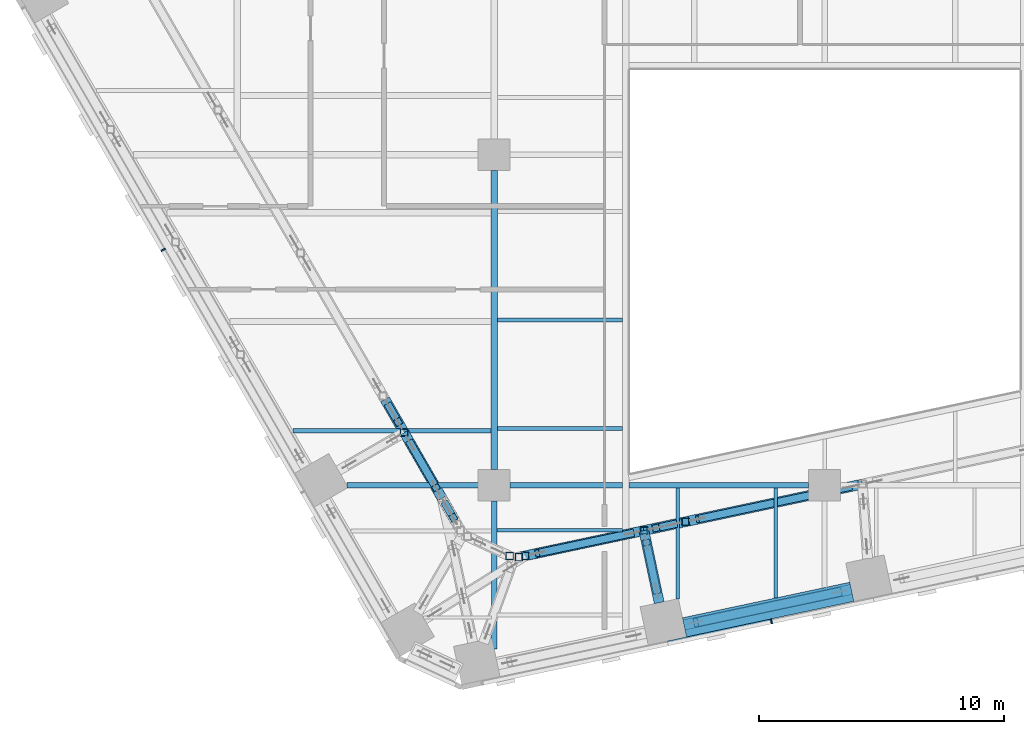
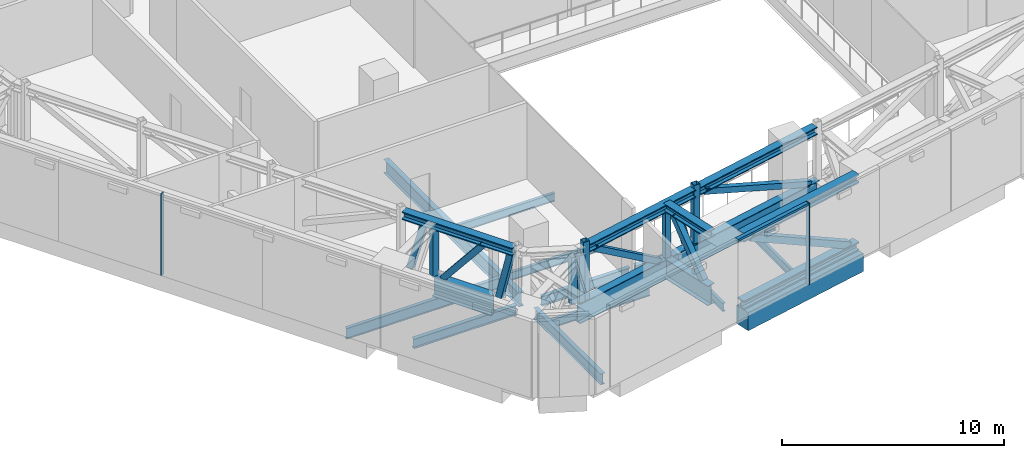
# One storey, part 3 of 36: 27 members, 12 beams, 2 elements without a shape of their own.
"""IFC4 building model written with IfcOpenShell, lengths in metres."""

from ifc_helpers import new_model, si_unit, direction, frame, origin, origin_2d, place, context, subcontext, project, spatial, rectangle, hollow_rectangle, i_section, extrude, material, layer, layer_set, material_profile, profile_set, type_object, element, aggregate, save


model = new_model("IFC4")

# Units and contexts
model_context = context("Model", 3, precision=1e-05, world=origin(), true_north=direction((0.0, 1.0)))
body_context = subcontext(model_context, "Body", "Model", "MODEL_VIEW")
ifc_project = project(units=[si_unit("LENGTHUNIT", "METRE"), si_unit("AREAUNIT", "SQUARE_METRE"), si_unit("VOLUMEUNIT", "CUBIC_METRE"), si_unit("PLANEANGLEUNIT", "RADIAN"), si_unit("MASSUNIT", "GRAM", prefix="KILO")], contexts=[model_context])

# Site, building, storey
site_placement = place(None, origin())
site = spatial("IfcSite", under=ifc_project, at=site_placement, CompositionType="ELEMENT")
building_placement = place(site_placement, origin())
building = spatial("IfcBuilding", under=site, at=building_placement, Name="Isthmus Gate Tower", CompositionType="ELEMENT")
storey_placement = place(building_placement, frame((0.0, 0.0, 117.14990234375)))
storey = spatial("IfcBuildingStorey", under=building, at=storey_placement, Name="L28", CompositionType="ELEMENT", Elevation=117.14990234375)

# Members
ifc_material_1 = material(Name="Structural steel ASTM A913 Gr 65", Category="steel")
ifc_material_profile_1 = material_profile(ifc_material_1, i_section(OverallWidth=0.4287109375, OverallDepth=0.482666015625, WebThickness=0.05078125, FlangeThickness=0.0810546875, at=origin_2d()), Name="W14X455")
ifc_profile_set_1 = profile_set([ifc_material_profile_1], Name="Structural steel ASTM A913 Gr 65")
member_type_1 = type_object("IfcMemberType", Name="BELT TRUSS CHORD W14X455", PredefinedType="CHORD", material=ifc_profile_set_1)
for number, where, z_axis, x_axis, name in (
    (1, (1.09130859375, -31.2568359375, 0.241455078125), (-0.978149173437, -0.207904291694, 0.0), (0.207904291694, -0.978149173437, 0.0), "str-belt12-L28-01"),
    (2, (1.09130859375, -31.2568359375, 3.958740234375), (-0.978149173437, -0.207904291694, 0.0), (0.207904291694, -0.978149173437, 0.0), "str-belt12-L28-02"),
):
    element("IfcMember", number, at=place(storey_placement, frame(where, z_axis=z_axis, x_axis=x_axis)), inside=storey, type_object=member_type_1, Name=name, PredefinedType="CHORD", context=body_context, shape_type="SweptSolid", body=[
        extrude(i_section(OverallWidth=0.4287109375, OverallDepth=0.482666015625, WebThickness=0.05078125, FlangeThickness=0.0810546875, at=origin_2d()), origin(), (0.0, 0.0, 1.0), 6.989501953125),
    ])

# Curtain wall, member
ifc_material_2 = material(Name="Aluminium, pale champagne anodised", Category="aluminium")
ifc_layer = layer(ifc_material_2, 0.199951171875)
ifc_layer_set = layer_set([ifc_layer], Name="CW-2 LOUVRE CURTAIN WALL 200 DEEP")
curtain_wall_type = type_object("IfcCurtainWallType", Name="CW-2 LOUVRE CURTAIN WALL 200 DEEP", PredefinedType="NOTDEFINED", material=ifc_layer_set)
curtain_wall_1_placement = place(storey_placement, origin())
curtain_wall_1 = element("IfcCurtainWall", 3, at=curtain_wall_1_placement, inside=storey, type_object=curtain_wall_type, Name="CW-2 SW L28", PredefinedType="NOTDEFINED")
ifc_material_3 = material(Name="Aluminium, pale champagne anodised", Category="aluminium")
ifc_material_profile_2 = material_profile(ifc_material_3, rectangle(XDim=0.06005859375, YDim=0.199951171875, at=origin_2d()), Name="60x200")
ifc_profile_set_2 = profile_set([ifc_material_profile_2], Name="Aluminium, pale champagne anodised")
member_type_2 = type_object("IfcMemberType", Name="CW-2 MULLION 60 X 200", PredefinedType="MULLION", material=ifc_profile_set_2)
member_1_placement = place(storey_placement, frame((-27.026611328125, -17.388427734375, 0.0), z_axis=(0.0, 0.0, 1.0), x_axis=(0.5, -0.866025403784, 0.0)))
member_1 = element("IfcMember", 4, at=member_1_placement, type_object=member_type_2, Name="CW-2 mullion", PredefinedType="MULLION", context=body_context, shape_type="SweptSolid", body=[
    extrude(rectangle(XDim=0.06005859375, YDim=0.199951171875, at=origin_2d()), origin(), (0.0, 0.0, 1.0), 4.5),
])
aggregate(curtain_wall_1, [member_1])

# Curtain wall, members
curtain_wall_2_placement = place(storey_placement, origin())
curtain_wall_2 = element("IfcCurtainWall", 5, at=curtain_wall_2_placement, inside=storey, type_object=curtain_wall_type, Name="CW-2 S L28", PredefinedType="NOTDEFINED")
member_2_placement = place(storey_placement, frame((-2.1728515625, -32.564208984375, 0.0), z_axis=(0.0, 0.0, 1.0), x_axis=(0.978147600734, 0.207911690818, 0.0)))
member_2 = element("IfcMember", 6, at=member_2_placement, type_object=member_type_2, Name="CW-2 mullion", PredefinedType="MULLION", context=body_context, shape_type="SweptSolid", body=[
    extrude(rectangle(XDim=0.06005859375, YDim=0.199951171875, at=origin_2d()), origin(), (0.0, 0.0, 1.0), 4.5),
])
ifc_material_4 = material(Name="Aluminium, pale champagne anodised", Category="aluminium")
ifc_material_profile_3 = material_profile(ifc_material_4, rectangle(XDim=0.199951171875, YDim=0.1201171875, at=origin_2d()), Name="200x120")
ifc_profile_set_3 = profile_set([ifc_material_profile_3], Name="Aluminium, pale champagne anodised")
member_type_3 = type_object("IfcMemberType", Name="CW-2 TRANSOM 200 X 120", PredefinedType="USERDEFINED", material=ifc_profile_set_3)
member_3_placement = place(storey_placement, frame((-6.403076171875, -33.46337890625, 4.440185546875), z_axis=(0.97813890815, 0.207952582007, 0.0), x_axis=(-0.207952582007, 0.97813890815, 0.0)))
member_3 = element("IfcMember", 7, at=member_3_placement, type_object=member_type_3, Name="CW-2 transom", ObjectType="TRANSOM", PredefinedType="USERDEFINED", context=body_context, shape_type="SweptSolid", body=[
    extrude(rectangle(XDim=0.199951171875, YDim=0.1201171875, at=origin_2d()), origin(), (0.0, 0.0, 1.0), 4.294677734375),
])
aggregate(curtain_wall_2, [member_3, member_2])

# Beams
ifc_material_5 = material(Name="Concrete f'c 70 MPa", Category="concrete")
ifc_material_profile_4 = material_profile(ifc_material_5, rectangle(XDim=0.800048828125, YDim=1.0, at=origin_2d()), Name="RC 800X1000")
ifc_profile_set_4 = profile_set([ifc_material_profile_4], Name="Concrete f'c 70 MPa")
beam_type_1 = type_object("IfcBeamType", Name="RC SPANDREL 800 X 1000", PredefinedType="SPANDREL", material=ifc_profile_set_4)
beam_1_placement = place(storey_placement, frame((1.112060546875, -31.354736328125, -0.5), z_axis=(-0.978149173437, -0.207904291694, 0.0), x_axis=(0.207904291694, -0.978149173437, 0.0)))
element("IfcBeam", 8, at=beam_1_placement, inside=storey, type_object=beam_type_1, Name="str-spandrel-L28-12", PredefinedType="SPANDREL", context=body_context, shape_type="SweptSolid", body=[
    extrude(rectangle(XDim=0.800048828125, YDim=1.0, at=origin_2d()), origin(), (0.0, 0.0, 1.0), 6.989501953125),
])
ifc_material_6 = material(Name="Structural steel ASTM A992 Gr 50", Category="steel")
ifc_material_profile_5 = material_profile(ifc_material_6, i_section(OverallWidth=0.15234375, OverallDepth=0.45068359375, WebThickness=0.0078125, FlangeThickness=0.010986328125, at=origin_2d()), Name="W18X35")
ifc_profile_set_5 = profile_set([ifc_material_profile_5], Name="Structural steel ASTM A992 Gr 50")
beam_type_2 = type_object("IfcBeamType", Name="STEEL FLOOR BEAM W18X35", PredefinedType="JOIST", material=ifc_profile_set_5)
beam_2_placement = place(storey_placement, frame((-13.3857421875, -28.837646484375, -0.525390625), z_axis=(1.0, 0.0, 0.0), x_axis=(0.0, 1.0, 0.0)))
element("IfcBeam", 9, at=beam_2_placement, inside=storey, type_object=beam_type_2, Name="str-beam-L28-11-01", PredefinedType="JOIST", context=body_context, shape_type="SweptSolid", body=[
    extrude(i_section(OverallWidth=0.15234375, OverallDepth=0.45068359375, WebThickness=0.0078125, FlangeThickness=0.010986328125, at=origin_2d()), origin(), (0.0, 0.0, 1.0), 5.119140625),
])
for number, where, z_axis, x_axis, name in (
    (10, (-13.3681640625, -24.68017578125, -0.525390625), (1.0, 0.0, 0.0), (0.0, 1.0, 0.0), "str-beam-L28-13-00"),
    (11, (-13.3681640625, -20.25, -0.525390625), (1.0, 0.0, 0.0), (0.0, 1.0, 0.0), "str-beam-L28-13-01"),
):
    element("IfcBeam", number, at=place(storey_placement, frame(where, z_axis=z_axis, x_axis=x_axis)), inside=storey, type_object=beam_type_2, Name=name, PredefinedType="JOIST", context=body_context, shape_type="SweptSolid", body=[
        extrude(i_section(OverallWidth=0.15234375, OverallDepth=0.45068359375, WebThickness=0.0078125, FlangeThickness=0.010986328125, at=origin_2d()), origin(), (0.0, 0.0, 1.0), 5.1015625),
    ])
beam_3_placement = place(storey_placement, frame((-6.0, -31.6396484375, -0.525390625), z_axis=(0.0, 1.0, 0.0), x_axis=(-1.0, 0.0, 0.0)))
element("IfcBeam", 12, at=beam_3_placement, inside=storey, type_object=beam_type_2, Name="str-beam-L28-16-00", PredefinedType="JOIST", context=body_context, shape_type="SweptSolid", body=[
    extrude(i_section(OverallWidth=0.15234375, OverallDepth=0.45068359375, WebThickness=0.0078125, FlangeThickness=0.010986328125, at=origin_2d()), origin(), (0.0, 0.0, 1.0), 4.525390625),
])
beam_4_placement = place(storey_placement, frame((-2.0, -31.607177734375, -0.525390625), z_axis=(0.0, 1.0, 0.0), x_axis=(-1.0, 0.0, 0.0)))
element("IfcBeam", 13, at=beam_4_placement, inside=storey, type_object=beam_type_2, Name="str-beam-L28-16-01", PredefinedType="JOIST", context=body_context, shape_type="SweptSolid", body=[
    extrude(i_section(OverallWidth=0.15234375, OverallDepth=0.45068359375, WebThickness=0.0078125, FlangeThickness=0.010986328125, at=origin_2d()), origin(), (0.0, 0.0, 1.0), 4.492919921875),
])
ifc_material_7 = material(Name="Structural steel ASTM A992 Gr 50", Category="steel")
ifc_material_profile_6 = material_profile(ifc_material_7, i_section(OverallWidth=0.177734375, OverallDepth=0.60009765625, WebThickness=0.009521484375, FlangeThickness=0.0126953125, at=origin_2d()), Name="W24X55")
ifc_profile_set_6 = profile_set([ifc_material_profile_6], Name="Structural steel ASTM A992 Gr 50")
beam_type_3 = type_object("IfcBeamType", Name="STEEL FLOOR BEAM W24X55", PredefinedType="JOIST", material=ifc_profile_set_6)
beam_5_placement = place(storey_placement, frame((-21.724365234375, -24.772216796875, -0.599853515625), z_axis=(1.0, 0.0, 0.0), x_axis=(0.0, 1.0, 0.0)))
element("IfcBeam", 14, at=beam_5_placement, inside=storey, type_object=beam_type_3, Name="str-beam-L28-06-00", PredefinedType="JOIST", context=body_context, shape_type="SweptSolid", body=[
    extrude(i_section(OverallWidth=0.177734375, OverallDepth=0.60009765625, WebThickness=0.009521484375, FlangeThickness=0.0126953125, at=origin_2d()), origin(), (0.0, 0.0, 1.0), 8.092529296875),
])
ifc_material_8 = material(Name="Structural steel ASTM A992 Gr 50", Category="steel")
ifc_material_profile_7 = material_profile(ifc_material_8, i_section(OverallWidth=0.20947265625, OverallDepth=0.533447265625, WebThickness=0.009521484375, FlangeThickness=0.015869140625, at=origin_2d()), Name="W21X62")
ifc_profile_set_7 = profile_set([ifc_material_profile_7], Name="Structural steel ASTM A992 Gr 50")
beam_type_4 = type_object("IfcBeamType", Name="STEEL GIRDER W21X62", PredefinedType="BEAM", material=ifc_profile_set_7)
beam_6_placement = place(storey_placement, frame((-19.514404296875, -27.0, -0.566650390625), z_axis=(1.0, 0.0, 0.0), x_axis=(0.0, 1.0, 0.0)))
element("IfcBeam", 15, at=beam_6_placement, inside=storey, type_object=beam_type_4, Name="str-girder-L28-01", PredefinedType="BEAM", context=body_context, shape_type="SweptSolid", body=[
    extrude(i_section(OverallWidth=0.20947265625, OverallDepth=0.533447265625, WebThickness=0.009521484375, FlangeThickness=0.015869140625, at=origin_2d()), origin(), (0.0, 0.0, 1.0), 5.364501953125),
])
beam_7_placement = place(storey_placement, frame((-12.85009765625, -27.0, -0.566650390625), z_axis=(1.0, 0.0, 0.0), x_axis=(0.0, 1.0, 0.0)))
element("IfcBeam", 16, at=beam_7_placement, inside=storey, type_object=beam_type_4, Name="str-girder-L28-02", PredefinedType="BEAM", context=body_context, shape_type="SweptSolid", body=[
    extrude(i_section(OverallWidth=0.20947265625, OverallDepth=0.533447265625, WebThickness=0.009521484375, FlangeThickness=0.015869140625, at=origin_2d()), origin(), (0.0, 0.0, 1.0), 4.58349609375),
])
ifc_material_9 = material(Name="Structural steel ASTM A992 Gr 50", Category="steel")
ifc_material_profile_8 = material_profile(ifc_material_9, i_section(OverallWidth=0.228515625, OverallDepth=0.603271484375, WebThickness=0.010986328125, FlangeThickness=0.014404296875, at=origin_2d()), Name="W24X68")
ifc_profile_set_8 = profile_set([ifc_material_profile_8], Name="Structural steel ASTM A992 Gr 50")
beam_type_5 = type_object("IfcBeamType", Name="STEEL GIRDER W24X68", PredefinedType="BEAM", material=ifc_profile_set_8)
beam_8_placement = place(storey_placement, frame((-8.0, -27.0, -0.6015625), z_axis=(1.0, 0.0, 0.0), x_axis=(0.0, 1.0, 0.0)))
element("IfcBeam", 17, at=beam_8_placement, inside=storey, type_object=beam_type_5, Name="str-girder-L28-03", PredefinedType="BEAM", context=body_context, shape_type="SweptSolid", body=[
    extrude(i_section(OverallWidth=0.228515625, OverallDepth=0.603271484375, WebThickness=0.010986328125, FlangeThickness=0.014404296875, at=origin_2d()), origin(), (0.0, 0.0, 1.0), 7.35009765625),
])
beam_9_placement = place(storey_placement, frame((-13.5, -33.69189453125, -0.6015625), z_axis=(0.0, 1.0, 0.0), x_axis=(-1.0, 0.0, 0.0)))
element("IfcBeam", 18, at=beam_9_placement, inside=storey, type_object=beam_type_5, Name="str-girder-L28-24", PredefinedType="BEAM", context=body_context, shape_type="SweptSolid", body=[
    extrude(i_section(OverallWidth=0.228515625, OverallDepth=0.603271484375, WebThickness=0.010986328125, FlangeThickness=0.014404296875, at=origin_2d()), origin(), (0.0, 0.0, 1.0), 6.0419921875),
])
ifc_material_10 = material(Name="Structural steel ASTM A992 Gr 50", Category="steel")
ifc_material_profile_9 = material_profile(ifc_material_10, i_section(OverallWidth=0.263427734375, OverallDepth=0.749267578125, WebThickness=0.0126953125, FlangeThickness=0.015869140625, at=origin_2d()), Name="W30X90")
ifc_profile_set_9 = profile_set([ifc_material_profile_9], Name="Structural steel ASTM A992 Gr 50")
beam_type_6 = type_object("IfcBeamType", Name="STEEL GIRDER W30X90", PredefinedType="BEAM", material=ifc_profile_set_9)
beam_10_placement = place(storey_placement, frame((-13.5, -26.35009765625, -0.674560546875), z_axis=(0.0, 1.0, 0.0), x_axis=(-1.0, 0.0, 0.0)))
element("IfcBeam", 19, at=beam_10_placement, inside=storey, type_object=beam_type_6, Name="str-girder-L28-25", PredefinedType="BEAM", context=body_context, shape_type="SweptSolid", body=[
    extrude(i_section(OverallWidth=0.263427734375, OverallDepth=0.749267578125, WebThickness=0.0126953125, FlangeThickness=0.015869140625, at=origin_2d()), origin(), (0.0, 0.0, 1.0), 12.2001953125),
])

# Members
ifc_material_11 = material(Name="Structural steel ASTM A913 Gr 65", Category="steel")
ifc_material_profile_10 = material_profile(ifc_material_11, i_section(OverallWidth=0.40966796875, OverallDepth=0.42529296875, WebThickness=0.033203125, FlangeThickness=0.052490234375, at=origin_2d()), Name="W14X283")
ifc_profile_set_10 = profile_set([ifc_material_profile_10], Name="Structural steel ASTM A913 Gr 65")
member_type_4 = type_object("IfcMemberType", Name="TRANSFER TRUSS CHORD W14X283", PredefinedType="CHORD", material=ifc_profile_set_10)
member_4_placement = place(storey_placement, frame((1.39501953125, -26.98779296875, 3.887451171875), z_axis=(-0.978146501345, -0.207916862969, 0.0), x_axis=(0.207916862969, -0.978146501345, 0.0)))
element("IfcMember", 20, at=member_4_placement, inside=storey, type_object=member_type_4, Name="str-ring05-L28-16", PredefinedType="CHORD", context=body_context, shape_type="SweptSolid", body=[
    extrude(i_section(OverallWidth=0.40966796875, OverallDepth=0.42529296875, WebThickness=0.033203125, FlangeThickness=0.052490234375, at=origin_2d()), origin(), (0.0, 0.0, 1.0), 7.085205078125),
])
member_5_placement = place(storey_placement, frame((-5.83349609375, -28.5244140625, 3.887451171875), z_axis=(-0.978151271721, -0.207894419433, 0.0), x_axis=(0.207894419433, -0.978151271721, 0.0)))
element("IfcMember", 21, at=member_5_placement, inside=storey, type_object=member_type_4, Name="str-ring05-L28-17", PredefinedType="CHORD", context=body_context, shape_type="SweptSolid", body=[
    extrude(i_section(OverallWidth=0.40966796875, OverallDepth=0.42529296875, WebThickness=0.033203125, FlangeThickness=0.052490234375, at=origin_2d()), origin(), (0.0, 0.0, 1.0), 6.38623046875),
])
member_6_placement = place(storey_placement, frame((-15.08740234375, -28.4677734375, 3.887451171875), z_axis=(-0.500027705304, 0.866009407529, 0.0), x_axis=(-0.866009407529, -0.500027705304, 0.0)))
element("IfcMember", 22, at=member_6_placement, inside=storey, type_object=member_type_4, Name="str-ring07-L28-14", PredefinedType="CHORD", context=body_context, shape_type="SweptSolid", body=[
    extrude(i_section(OverallWidth=0.40966796875, OverallDepth=0.42529296875, WebThickness=0.033203125, FlangeThickness=0.052490234375, at=origin_2d()), origin(), (0.0, 0.0, 1.0), 5.746337890625),
])
member_7_placement = place(storey_placement, frame((-6.756591796875, -31.80029296875, 3.887451171875), z_axis=(-0.20788492722, 0.978153289129, 0.0), x_axis=(-0.978153289129, -0.20788492722, 0.0)))
element("IfcMember", 23, at=member_7_placement, inside=storey, type_object=member_type_4, Name="str-link14-L28-02", PredefinedType="CHORD", context=body_context, shape_type="SweptSolid", body=[
    extrude(i_section(OverallWidth=0.40966796875, OverallDepth=0.42529296875, WebThickness=0.033203125, FlangeThickness=0.052490234375, at=origin_2d()), origin(), (0.0, 0.0, 1.0), 3.012451171875),
])
ifc_material_12 = material(Name="Structural steel ASTM A913 Gr 65", Category="steel")
ifc_material_profile_11 = material_profile(ifc_material_12, i_section(OverallWidth=0.39990234375, OverallDepth=1.089111328125, WebThickness=0.017578125, FlangeThickness=0.03173828125, at=origin_2d()), Name="W44X230")
ifc_profile_set_11 = profile_set([ifc_material_profile_11], Name="Structural steel ASTM A913 Gr 65")
member_type_5 = type_object("IfcMemberType", Name="TRANSFER TRUSS CHORD W44X230", PredefinedType="CHORD", material=ifc_profile_set_11)
member_8_placement = place(storey_placement, frame((1.544189453125, -26.9560546875, 0.544677734375), z_axis=(-0.978145184177, -0.207923059497, 0.0), x_axis=(0.207923059497, -0.978145184177, 0.0)))
element("IfcMember", 24, at=member_8_placement, inside=storey, type_object=member_type_5, Name="str-ring05-L28-11", PredefinedType="CHORD", context=body_context, shape_type="SweptSolid", body=[
    extrude(i_section(OverallWidth=0.39990234375, OverallDepth=1.089111328125, WebThickness=0.017578125, FlangeThickness=0.03173828125, at=origin_2d()), origin(), (0.0, 0.0, 1.0), 9.126953125),
])
member_9_placement = place(storey_placement, frame((-7.38330078125, -28.853759765625, 0.544677734375), z_axis=(-0.978152326206, -0.207889457975, 0.0), x_axis=(0.207889457975, -0.978152326206, 0.0)))
element("IfcMember", 25, at=member_9_placement, inside=storey, type_object=member_type_5, Name="str-ring05-L28-12", PredefinedType="CHORD", context=body_context, shape_type="SweptSolid", body=[
    extrude(i_section(OverallWidth=0.39990234375, OverallDepth=1.089111328125, WebThickness=0.017578125, FlangeThickness=0.03173828125, at=origin_2d()), origin(), (0.0, 0.0, 1.0), 5.4208984375),
])
member_10_placement = place(storey_placement, frame((-15.626708984375, -27.53369140625, 0.544677734375), z_axis=(-0.500011136814, 0.866018973846, 0.0), x_axis=(-0.866018973846, -0.500011136814, 0.0)))
element("IfcMember", 26, at=member_10_placement, inside=storey, type_object=member_type_5, Name="str-ring07-L28-11", PredefinedType="CHORD", context=body_context, shape_type="SweptSolid", body=[
    extrude(i_section(OverallWidth=0.39990234375, OverallDepth=1.089111328125, WebThickness=0.017578125, FlangeThickness=0.03173828125, at=origin_2d()), origin(), (0.0, 0.0, 1.0), 3.09912109375),
])
member_11_placement = place(storey_placement, frame((-6.756591796875, -31.80029296875, 0.544677734375), z_axis=(-0.20788492722, 0.978153289129, 0.0), x_axis=(-0.978153289129, -0.20788492722, 0.0)))
element("IfcMember", 27, at=member_11_placement, inside=storey, type_object=member_type_5, Name="str-link14-L28-01", PredefinedType="CHORD", context=body_context, shape_type="SweptSolid", body=[
    extrude(i_section(OverallWidth=0.39990234375, OverallDepth=1.089111328125, WebThickness=0.017578125, FlangeThickness=0.03173828125, at=origin_2d()), origin(), (0.0, 0.0, 1.0), 3.012451171875),
])
ifc_material_13 = material(Name="Structural steel ASTM A500 Gr C", Category="steel")
ifc_material_profile_12 = material_profile(ifc_material_13, hollow_rectangle(XDim=0.3046875, YDim=0.3046875, WallThickness=0.014892578125, at=origin_2d()), Name="HSS12X12X5/8")
ifc_profile_set_12 = profile_set([ifc_material_profile_12], Name="Structural steel ASTM A500 Gr C")
member_type_6 = type_object("IfcMemberType", Name="TRANSFER TRUSS DIAGONAL HSS12X12X5/8", PredefinedType="BRACE", material=ifc_profile_set_12)
member_12_placement = place(storey_placement, frame((1.05517578125, -27.06005859375, 1.089111328125), z_axis=(-0.906728847627, -0.192735660838, 0.375094337365), x_axis=(0.207916329857, -0.978146614664, 0.0)))
element("IfcMember", 28, at=member_12_placement, inside=storey, type_object=member_type_6, Name="str-ring05-L28-21", PredefinedType="BRACE", context=body_context, shape_type="SweptSolid", body=[
    extrude(hollow_rectangle(XDim=0.3046875, YDim=0.3046875, WallThickness=0.014892578125, at=origin_2d()), origin(), (0.0, 0.0, 1.0), 6.8935546875),
])
member_13_placement = place(storey_placement, frame((-6.17333984375, -28.5966796875, 1.089111328125), z_axis=(-0.268141579728, -0.056933549099, 0.961695723297), x_axis=(0.207696320087, -0.978193354415, 0.0)))
element("IfcMember", 29, at=member_13_placement, inside=storey, type_object=member_type_6, Name="str-ring05-L28-22", PredefinedType="BRACE", context=body_context, shape_type="SweptSolid", body=[
    extrude(hollow_rectangle(XDim=0.3046875, YDim=0.3046875, WallThickness=0.014892578125, at=origin_2d()), origin(), (0.0, 0.0, 1.0), 2.688720703125),
])
member_14_placement = place(storey_placement, frame((-7.87255859375, -28.957763671875, 1.089111328125), z_axis=(-0.818633646173, -0.174000346359, 0.547323334803), x_axis=(0.20790528116, -0.978148963127, 0.0)))
element("IfcMember", 30, at=member_14_placement, inside=storey, type_object=member_type_6, Name="str-ring05-L28-23", PredefinedType="BRACE", context=body_context, shape_type="SweptSolid", body=[
    extrude(hollow_rectangle(XDim=0.3046875, YDim=0.3046875, WallThickness=0.014892578125, at=origin_2d()), origin(), (0.0, 0.0, 1.0), 4.724365234375),
])
member_15_placement = place(storey_placement, frame((-15.468994140625, -27.806884765625, 1.089111328125), z_axis=(0.113038986097, -0.195725762745, 0.974121970505), x_axis=(0.865955154139, 0.50012165622, 0.0)))
element("IfcMember", 31, at=member_15_placement, inside=storey, type_object=member_type_6, Name="str-ring07-L28-19", PredefinedType="BRACE", context=body_context, shape_type="SweptSolid", body=[
    extrude(hollow_rectangle(XDim=0.3046875, YDim=0.3046875, WallThickness=0.014892578125, at=origin_2d()), origin(), (0.0, 0.0, 1.0), 2.654296875),
])
member_16_placement = place(storey_placement, frame((-16.92626953125, -25.28271484375, 1.089111328125), z_axis=(0.315138692444, -0.545829891588, 0.776374480501), x_axis=(0.866022890907, 0.500004352405, 0.0)))
element("IfcMember", 32, at=member_16_placement, inside=storey, type_object=member_type_6, Name="str-ring07-L28-20", PredefinedType="BRACE", context=body_context, shape_type="SweptSolid", body=[
    extrude(hollow_rectangle(XDim=0.3046875, YDim=0.3046875, WallThickness=0.014892578125, at=origin_2d()), origin(), (0.0, 0.0, 1.0), 3.33056640625),
])
member_17_placement = place(storey_placement, frame((-17.786865234375, -23.79248046875, 1.089111328125), z_axis=(0.134334324801, -0.23256118383, 0.96325987405), x_axis=(0.865920485182, 0.500181680334, 0.0)))
element("IfcMember", 33, at=member_17_placement, inside=storey, type_object=member_type_6, Name="str-ring07-L28-21", PredefinedType="BRACE", context=body_context, shape_type="SweptSolid", body=[
    extrude(hollow_rectangle(XDim=0.3046875, YDim=0.3046875, WallThickness=0.014892578125, at=origin_2d()), origin(), (0.0, 0.0, 1.0), 2.684326171875),
])
member_18_placement = place(storey_placement, frame((-6.860595703125, -31.311279296875, 1.089111328125), z_axis=(-0.127711791934, 0.600781901028, 0.789145617486), x_axis=(-0.978143740931, -0.207929848934, 0.0)))
element("IfcMember", 34, at=member_18_placement, inside=storey, type_object=member_type_6, Name="str-link14-L28-03", PredefinedType="BRACE", context=body_context, shape_type="SweptSolid", body=[
    extrude(hollow_rectangle(XDim=0.3046875, YDim=0.3046875, WallThickness=0.014892578125, at=origin_2d()), origin(), (0.0, 0.0, 1.0), 3.276611328125),
])
ifc_material_14 = material(Name="Structural steel ASTM A500 Gr C", Category="steel")
ifc_material_profile_13 = material_profile(ifc_material_14, hollow_rectangle(XDim=0.3046875, YDim=0.3046875, WallThickness=0.014892578125, at=origin_2d()), Name="HSS12X12X5/8")
ifc_profile_set_13 = profile_set([ifc_material_profile_13], Name="Structural steel ASTM A500 Gr C")
member_type_7 = type_object("IfcMemberType", Name="TRANSFER TRUSS POST HSS12X12X5/8", PredefinedType="POST", material=ifc_profile_set_13)
member_19_placement = place(storey_placement, frame((-5.684326171875, -28.49267578125, 1.089111328125), z_axis=(0.0, 0.0, 1.0), x_axis=(1.0, 0.0, 0.0)))
element("IfcMember", 35, at=member_19_placement, inside=storey, type_object=member_type_7, Name="str-ring05-L28-05", PredefinedType="POST", context=body_context, shape_type="SweptSolid", body=[
    extrude(hollow_rectangle(XDim=0.3046875, YDim=0.3046875, WallThickness=0.014892578125, at=origin_2d()), origin(), (0.0, 0.0, 1.0), 3.2109375),
])
member_20_placement = place(storey_placement, frame((-7.38330078125, -28.853759765625, 1.089111328125), z_axis=(0.0, 0.0, 1.0), x_axis=(1.0, 0.0, 0.0)))
element("IfcMember", 36, at=member_20_placement, inside=storey, type_object=member_type_7, Name="str-ring05-L28-06", PredefinedType="POST", context=body_context, shape_type="SweptSolid", body=[
    extrude(hollow_rectangle(XDim=0.3046875, YDim=0.3046875, WallThickness=0.014892578125, at=origin_2d()), origin(), (0.0, 0.0, 1.0), 2.585693359375),
])
member_21_placement = place(storey_placement, frame((-12.229248046875, -29.8837890625, 1.089111328125), z_axis=(0.0, 0.0, 1.0), x_axis=(1.0, 0.0, 0.0)))
element("IfcMember", 37, at=member_21_placement, inside=storey, type_object=member_type_7, Name="str-ring05-L28-07", PredefinedType="POST", context=body_context, shape_type="SweptSolid", body=[
    extrude(hollow_rectangle(XDim=0.3046875, YDim=0.3046875, WallThickness=0.014892578125, at=origin_2d()), origin(), (0.0, 0.0, 1.0), 3.2109375),
])
for number, where, z_axis, x_axis, name in (
    (38, (-12.490234375, -29.939208984375, 1.089111328125), (0.0, 0.0, 1.0), (1.0, 0.0, 0.0), "str-ring05-L28-08"),
    (39, (-12.867431640625, -29.896728515625, 1.089111328125), (0.0, 0.0, 1.0), (1.0, 0.0, 0.0), "str-ring06-L28-01"),
    (40, (-17.17626953125, -24.849853515625, 1.089111328125), (0.0, 0.0, 1.0), (1.0, 0.0, 0.0), "str-ring07-L28-04"),
):
    element("IfcMember", number, at=place(storey_placement, frame(where, z_axis=z_axis, x_axis=x_axis)), inside=storey, type_object=member_type_7, Name=name, PredefinedType="POST", context=body_context, shape_type="SweptSolid", body=[
        extrude(hollow_rectangle(XDim=0.3046875, YDim=0.3046875, WallThickness=0.014892578125, at=origin_2d()), origin(), (0.0, 0.0, 1.0), 2.585693359375),
    ])
ifc_material_15 = material(Name="Structural steel ASTM A500 Gr C", Category="steel")
ifc_material_profile_14 = material_profile(ifc_material_15, hollow_rectangle(XDim=0.355712890625, YDim=0.355712890625, WallThickness=0.017578125, at=origin_2d()), Name="HSS14X14X3/4")
ifc_profile_set_14 = profile_set([ifc_material_profile_14], Name="Structural steel ASTM A500 Gr C")
member_type_8 = type_object("IfcMemberType", Name="TRUSS DIAGONAL HSS14X14X3/4", PredefinedType="BRACE", material=ifc_profile_set_14)
member_22_placement = place(storey_placement, frame((0.602294921875, -31.36083984375, 0.482666015625), z_axis=(-0.860644645153, -0.182945715503, 0.475206965382), x_axis=(0.207922617963, -0.978145278034, 0.0)))
element("IfcMember", 41, at=member_22_placement, inside=storey, type_object=member_type_8, Name="str-belt12-L28-03", PredefinedType="BRACE", context=body_context, shape_type="SweptSolid", body=[
    extrude(hollow_rectangle(XDim=0.355712890625, YDim=0.355712890625, WallThickness=0.017578125, at=origin_2d()), origin(), (0.0, 0.0, 1.0), 6.807373046875),
])

save(model, "model.ifc")
